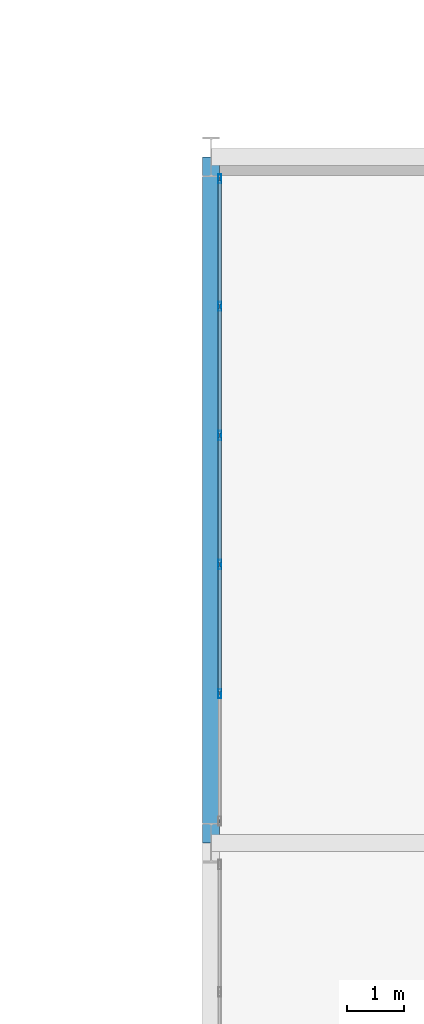
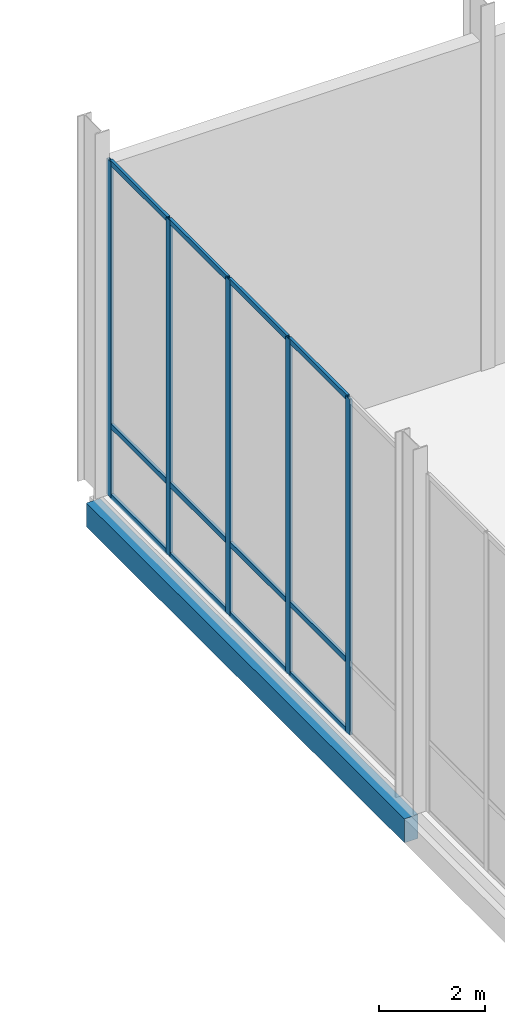
# One storey, part 78 of 131: 17 members, 1 beam, 1 element without a shape of its own.
"""IFC4 building model written with IfcOpenShell, lengths in metres."""

from ifc_helpers import new_model, si_unit, direction, frame, origin, origin_2d, place, context, subcontext, project, spatial, rectangle, hollow_rectangle, extrude, material, material_profile, profile_set, type_object, element, aggregate, save


model = new_model("IFC4")

# Units and contexts
model_context = context("Model", 3, precision=1e-05, world=origin(), true_north=direction((0.0, 1.0)))
body_context = subcontext(model_context, "Body", "Model", "MODEL_VIEW")
ifc_project = project(units=[si_unit("LENGTHUNIT", "METRE"), si_unit("AREAUNIT", "SQUARE_METRE"), si_unit("VOLUMEUNIT", "CUBIC_METRE"), si_unit("PLANEANGLEUNIT", "RADIAN"), si_unit("MASSUNIT", "GRAM", prefix="KILO")], contexts=[model_context])

# Site, building, storey
site_placement = place(None, origin())
site = spatial("IfcSite", under=ifc_project, at=site_placement, CompositionType="ELEMENT")
building_placement = place(site_placement, origin())
building = spatial("IfcBuilding", under=site, at=building_placement, Name="Veltarok Museum of Natural Sciences", CompositionType="ELEMENT")
storey_placement = place(building_placement, origin())
storey = spatial("IfcBuildingStorey", under=building, at=storey_placement, Name="L00", CompositionType="ELEMENT", Elevation=0.0)

# Curtain wall, members
ifc_material_1 = material(Name="Low-iron triple insulated glass", Category="glass")
curtain_wall_type = type_object("IfcCurtainWallType", Name="Curtain Wall System CW-V5CW-L00-1-1130x773 (CW-V5CW L00 1130x773cm)", PredefinedType="NOTDEFINED", material=ifc_material_1)
curtain_wall_placement = place(storey_placement, origin())
curtain_wall = element("IfcCurtainWall", 1, at=curtain_wall_placement, inside=storey, type_object=curtain_wall_type, Name="Curtain Wall CW-V5CW-L00-1-1130x773 CW-0173", PredefinedType="NOTDEFINED")
ifc_material_2 = material(Name="Thermally broken anodised aluminium", Category="aluminium")
ifc_material_profile_1 = material_profile(ifc_material_2, hollow_rectangle(XDim=0.06005859375, YDim=0.1201171875, WallThickness=0.0048828125, at=origin_2d()), Name="CW TRANSOM 60x120x5")
ifc_profile_set_1 = profile_set([ifc_material_profile_1], Name="Thermally broken anodised aluminium")
member_type_1 = type_object("IfcMemberType", Name="Curtain Wall Horizontal Transom 60x120x5", PredefinedType="USERDEFINED", material=ifc_profile_set_1)
member_1_placement = place(storey_placement, frame((132.550048828125, 62.639892578125, 0.028076171875), z_axis=(0.0, 1.0, 0.0), x_axis=(-1.0, 0.0, 0.0)))
member_1 = element("IfcMember", 2, at=member_1_placement, type_object=member_type_1, Name="CW-V5CW-L00-1-1130x773 transom 2.1", ObjectType="TRANSOM", PredefinedType="USERDEFINED", context=body_context, shape_type="SweptSolid", body=[
    extrude(hollow_rectangle(XDim=0.06005859375, YDim=0.1201171875, WallThickness=0.0048828125, at=origin_2d()), origin(), (0.0, 0.0, 1.0), 2.2001953125),
])
member_2_placement = place(storey_placement, frame((132.550048828125, 62.639892578125, 1.64794921875), z_axis=(0.0, 1.0, 0.0), x_axis=(-1.0, 0.0, 0.0)))
member_2 = element("IfcMember", 3, at=member_2_placement, type_object=member_type_1, Name="CW-V5CW-L00-1-1130x773 transom 2.2", ObjectType="TRANSOM", PredefinedType="USERDEFINED", context=body_context, shape_type="SweptSolid", body=[
    extrude(hollow_rectangle(XDim=0.06005859375, YDim=0.1201171875, WallThickness=0.0048828125, at=origin_2d()), origin(), (0.0, 0.0, 1.0), 2.2001953125),
])
member_3_placement = place(storey_placement, frame((132.550048828125, 62.639892578125, 7.699951171875), z_axis=(0.0, 1.0, 0.0), x_axis=(-1.0, 0.0, 0.0)))
member_3 = element("IfcMember", 4, at=member_3_placement, type_object=member_type_1, Name="CW-V5CW-L00-1-1130x773 transom 2.3", ObjectType="TRANSOM", PredefinedType="USERDEFINED", context=body_context, shape_type="SweptSolid", body=[
    extrude(hollow_rectangle(XDim=0.06005859375, YDim=0.1201171875, WallThickness=0.0048828125, at=origin_2d()), origin(), (0.0, 0.0, 1.0), 2.2001953125),
])
member_4_placement = place(storey_placement, frame((132.550048828125, 64.89990234375, 0.028076171875), z_axis=(0.0, 1.0, 0.0), x_axis=(-1.0, 0.0, 0.0)))
member_4 = element("IfcMember", 5, at=member_4_placement, type_object=member_type_1, Name="CW-V5CW-L00-1-1130x773 transom 3.1", ObjectType="TRANSOM", PredefinedType="USERDEFINED", context=body_context, shape_type="SweptSolid", body=[
    extrude(hollow_rectangle(XDim=0.06005859375, YDim=0.1201171875, WallThickness=0.0048828125, at=origin_2d()), origin(), (0.0, 0.0, 1.0), 2.2001953125),
])
member_5_placement = place(storey_placement, frame((132.550048828125, 64.89990234375, 1.64794921875), z_axis=(0.0, 1.0, 0.0), x_axis=(-1.0, 0.0, 0.0)))
member_5 = element("IfcMember", 6, at=member_5_placement, type_object=member_type_1, Name="CW-V5CW-L00-1-1130x773 transom 3.2", ObjectType="TRANSOM", PredefinedType="USERDEFINED", context=body_context, shape_type="SweptSolid", body=[
    extrude(hollow_rectangle(XDim=0.06005859375, YDim=0.1201171875, WallThickness=0.0048828125, at=origin_2d()), origin(), (0.0, 0.0, 1.0), 2.2001953125),
])
member_6_placement = place(storey_placement, frame((132.550048828125, 64.89990234375, 7.699951171875), z_axis=(0.0, 1.0, 0.0), x_axis=(-1.0, 0.0, 0.0)))
member_6 = element("IfcMember", 7, at=member_6_placement, type_object=member_type_1, Name="CW-V5CW-L00-1-1130x773 transom 3.3", ObjectType="TRANSOM", PredefinedType="USERDEFINED", context=body_context, shape_type="SweptSolid", body=[
    extrude(hollow_rectangle(XDim=0.06005859375, YDim=0.1201171875, WallThickness=0.0048828125, at=origin_2d()), origin(), (0.0, 0.0, 1.0), 2.2001953125),
])
member_7_placement = place(storey_placement, frame((132.550048828125, 67.159912109375, 0.028076171875), z_axis=(0.0, 1.0, 0.0), x_axis=(-1.0, 0.0, 0.0)))
member_7 = element("IfcMember", 8, at=member_7_placement, type_object=member_type_1, Name="CW-V5CW-L00-1-1130x773 transom 4.1", ObjectType="TRANSOM", PredefinedType="USERDEFINED", context=body_context, shape_type="SweptSolid", body=[
    extrude(hollow_rectangle(XDim=0.06005859375, YDim=0.1201171875, WallThickness=0.0048828125, at=origin_2d()), origin(), (0.0, 0.0, 1.0), 2.2001953125),
])
member_8_placement = place(storey_placement, frame((132.550048828125, 67.159912109375, 1.64794921875), z_axis=(0.0, 1.0, 0.0), x_axis=(-1.0, 0.0, 0.0)))
member_8 = element("IfcMember", 9, at=member_8_placement, type_object=member_type_1, Name="CW-V5CW-L00-1-1130x773 transom 4.2", ObjectType="TRANSOM", PredefinedType="USERDEFINED", context=body_context, shape_type="SweptSolid", body=[
    extrude(hollow_rectangle(XDim=0.06005859375, YDim=0.1201171875, WallThickness=0.0048828125, at=origin_2d()), origin(), (0.0, 0.0, 1.0), 2.2001953125),
])
member_9_placement = place(storey_placement, frame((132.550048828125, 67.159912109375, 7.699951171875), z_axis=(0.0, 1.0, 0.0), x_axis=(-1.0, 0.0, 0.0)))
member_9 = element("IfcMember", 10, at=member_9_placement, type_object=member_type_1, Name="CW-V5CW-L00-1-1130x773 transom 4.3", ObjectType="TRANSOM", PredefinedType="USERDEFINED", context=body_context, shape_type="SweptSolid", body=[
    extrude(hollow_rectangle(XDim=0.06005859375, YDim=0.1201171875, WallThickness=0.0048828125, at=origin_2d()), origin(), (0.0, 0.0, 1.0), 2.2001953125),
])
member_10_placement = place(storey_placement, frame((132.550048828125, 69.419921875, 0.028076171875), z_axis=(0.0, 1.0, 0.0), x_axis=(-1.0, 0.0, 0.0)))
member_10 = element("IfcMember", 11, at=member_10_placement, type_object=member_type_1, Name="CW-V5CW-L00-1-1130x773 transom 5.1", ObjectType="TRANSOM", PredefinedType="USERDEFINED", context=body_context, shape_type="SweptSolid", body=[
    extrude(hollow_rectangle(XDim=0.06005859375, YDim=0.1201171875, WallThickness=0.0048828125, at=origin_2d()), origin(), (0.0, 0.0, 1.0), 2.170166015625),
])
member_11_placement = place(storey_placement, frame((132.550048828125, 69.419921875, 1.64794921875), z_axis=(0.0, 1.0, 0.0), x_axis=(-1.0, 0.0, 0.0)))
member_11 = element("IfcMember", 12, at=member_11_placement, type_object=member_type_1, Name="CW-V5CW-L00-1-1130x773 transom 5.2", ObjectType="TRANSOM", PredefinedType="USERDEFINED", context=body_context, shape_type="SweptSolid", body=[
    extrude(hollow_rectangle(XDim=0.06005859375, YDim=0.1201171875, WallThickness=0.0048828125, at=origin_2d()), origin(), (0.0, 0.0, 1.0), 2.170166015625),
])
member_12_placement = place(storey_placement, frame((132.550048828125, 69.419921875, 7.699951171875), z_axis=(0.0, 1.0, 0.0), x_axis=(-1.0, 0.0, 0.0)))
member_12 = element("IfcMember", 13, at=member_12_placement, type_object=member_type_1, Name="CW-V5CW-L00-1-1130x773 transom 5.3", ObjectType="TRANSOM", PredefinedType="USERDEFINED", context=body_context, shape_type="SweptSolid", body=[
    extrude(hollow_rectangle(XDim=0.06005859375, YDim=0.1201171875, WallThickness=0.0048828125, at=origin_2d()), origin(), (0.0, 0.0, 1.0), 2.170166015625),
])
ifc_material_profile_2 = material_profile(ifc_material_2, hollow_rectangle(XDim=0.06005859375, YDim=0.159912109375, WallThickness=0.0048828125, at=origin_2d()), Name="CW MULLION 60x160x5")
ifc_profile_set_2 = profile_set([ifc_material_profile_2], Name="Thermally broken anodised aluminium")
member_type_2 = type_object("IfcMemberType", Name="Curtain Wall Vertical Mullion 60x160x5", PredefinedType="MULLION", material=ifc_profile_set_2)
member_13_placement = place(storey_placement, frame((132.550048828125, 62.610107421875, -0.001953125), z_axis=(0.0, 0.0, 1.0), x_axis=(-1.0, 0.0, 0.0)))
member_13 = element("IfcMember", 14, at=member_13_placement, type_object=member_type_2, Name="CW-V5CW-L00-1-1130x773 mullion 2", PredefinedType="MULLION", context=body_context, shape_type="SweptSolid", body=[
    extrude(hollow_rectangle(XDim=0.06005859375, YDim=0.159912109375, WallThickness=0.0048828125, at=origin_2d()), origin(), (0.0, 0.0, 1.0), 7.73193359375),
])
member_14_placement = place(storey_placement, frame((132.550048828125, 64.8701171875, -0.001953125), z_axis=(0.0, 0.0, 1.0), x_axis=(-1.0, 0.0, 0.0)))
member_14 = element("IfcMember", 15, at=member_14_placement, type_object=member_type_2, Name="CW-V5CW-L00-1-1130x773 mullion 3", PredefinedType="MULLION", context=body_context, shape_type="SweptSolid", body=[
    extrude(hollow_rectangle(XDim=0.06005859375, YDim=0.159912109375, WallThickness=0.0048828125, at=origin_2d()), origin(), (0.0, 0.0, 1.0), 7.73193359375),
])
member_15_placement = place(storey_placement, frame((132.550048828125, 67.1298828125, -0.001953125), z_axis=(0.0, 0.0, 1.0), x_axis=(-1.0, 0.0, 0.0)))
member_15 = element("IfcMember", 16, at=member_15_placement, type_object=member_type_2, Name="CW-V5CW-L00-1-1130x773 mullion 4", PredefinedType="MULLION", context=body_context, shape_type="SweptSolid", body=[
    extrude(hollow_rectangle(XDim=0.06005859375, YDim=0.159912109375, WallThickness=0.0048828125, at=origin_2d()), origin(), (0.0, 0.0, 1.0), 7.73193359375),
])
member_16_placement = place(storey_placement, frame((132.550048828125, 69.389892578125, -0.001953125), z_axis=(0.0, 0.0, 1.0), x_axis=(-1.0, 0.0, 0.0)))
member_16 = element("IfcMember", 17, at=member_16_placement, type_object=member_type_2, Name="CW-V5CW-L00-1-1130x773 mullion 5", PredefinedType="MULLION", context=body_context, shape_type="SweptSolid", body=[
    extrude(hollow_rectangle(XDim=0.06005859375, YDim=0.159912109375, WallThickness=0.0048828125, at=origin_2d()), origin(), (0.0, 0.0, 1.0), 7.73193359375),
])
member_17_placement = place(storey_placement, frame((132.550048828125, 71.6201171875, -0.001953125), z_axis=(0.0, 0.0, 1.0), x_axis=(-1.0, 0.0, 0.0)))
member_17 = element("IfcMember", 18, at=member_17_placement, type_object=member_type_2, Name="CW-V5CW-L00-1-1130x773 mullion 6", PredefinedType="MULLION", context=body_context, shape_type="SweptSolid", body=[
    extrude(hollow_rectangle(XDim=0.06005859375, YDim=0.159912109375, WallThickness=0.0048828125, at=origin_2d()), origin(), (0.0, 0.0, 1.0), 7.73193359375),
])
aggregate(curtain_wall, [member_13, member_14, member_15, member_16, member_17, member_1, member_2, member_3, member_4, member_5, member_6, member_7, member_8, member_9, member_10, member_11, member_12])

# Beam
ifc_material_3 = material(Name="Precast concrete C40/50", Category="concrete")
ifc_material_profile_3 = material_profile(ifc_material_3, rectangle(XDim=0.300048828125, YDim=0.550048828125, at=origin_2d()), Name="RC 300x550")
ifc_profile_set_3 = profile_set([ifc_material_profile_3], Name="Precast concrete C40/50")
beam_type = type_object("IfcBeamType", Name="East Wing Precast Spandrel RC 300x550", PredefinedType="SPANDREL", material=ifc_profile_set_3)
beam_placement = place(storey_placement, frame((132.39990234375, 60.0, -0.574951171875), z_axis=(0.0, 1.0, 0.0), x_axis=(-1.0, 0.0, 0.0)))
element("IfcBeam", 19, at=beam_placement, inside=storey, type_object=beam_type, Name="Beam BM-SP02 L00 16/G-H", PredefinedType="SPANDREL", context=body_context, shape_type="SweptSolid", body=[
    extrude(rectangle(XDim=0.300048828125, YDim=0.550048828125, at=origin_2d()), origin(), (0.0, 0.0, 1.0), 12.0),
])

save(model, "model.ifc")
